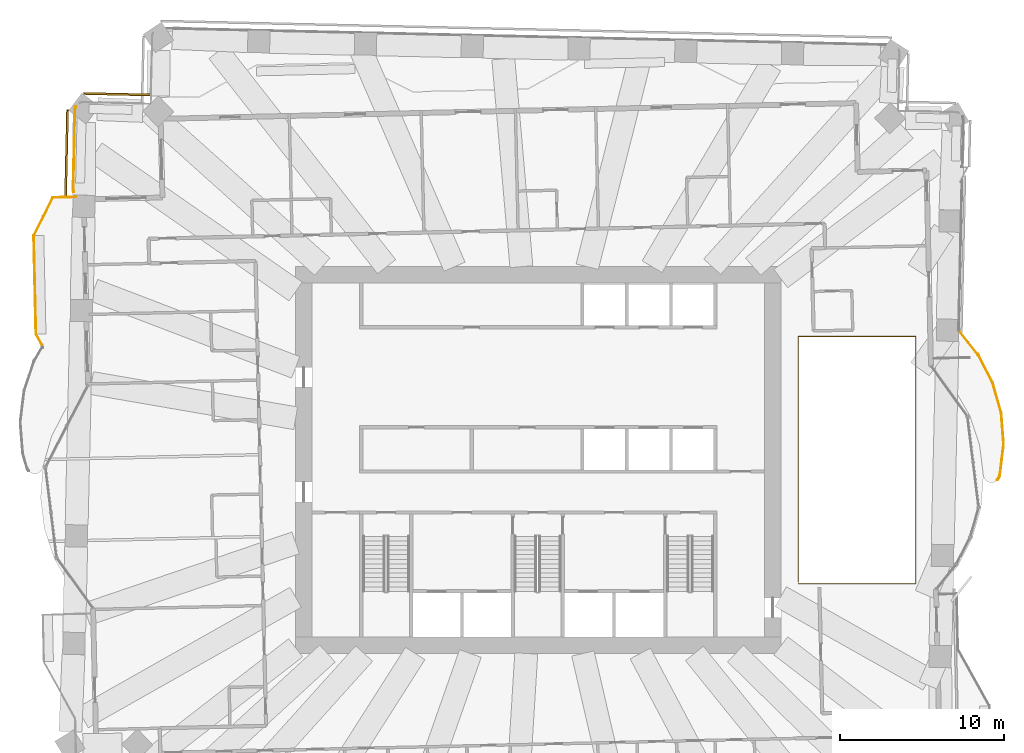
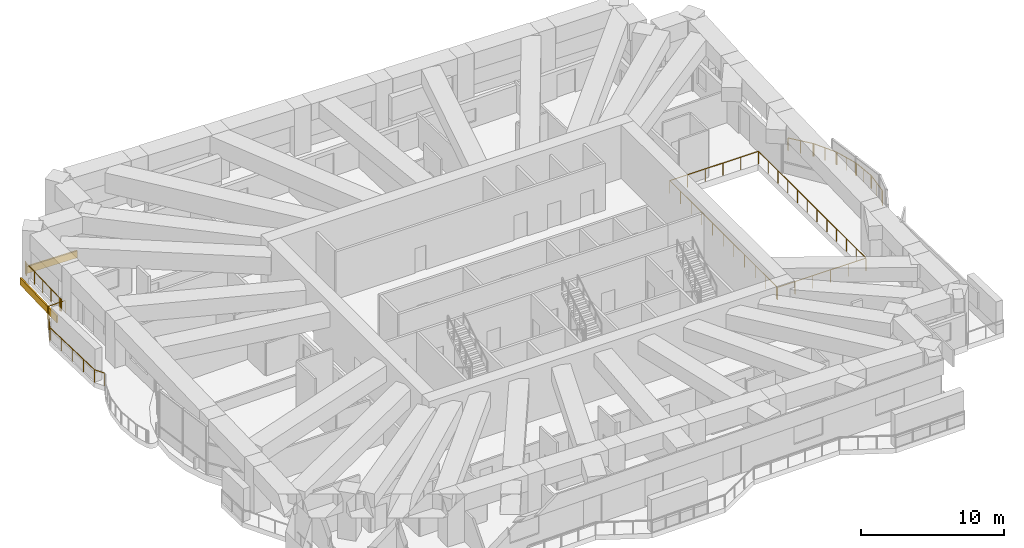
# One storey, part 19 of 21: 4 railings, 2 coverings.
"""IFC4 building model written with IfcOpenShell, lengths in metres."""

from ifc_helpers import new_model, si_unit, direction, frame, frame_2d, origin, origin_2d, place, context, subcontext, project, spatial, rectangle, extrude, material, layer, layer_set, type_object, element, save


model = new_model("IFC4")

# Units and contexts
model_context = context("Model", 3, precision=1e-05, world=origin(), true_north=direction((0.0, 1.0)))
body_context = subcontext(model_context, "Body", "Model", "MODEL_VIEW")
ifc_project = project(units=[si_unit("LENGTHUNIT", "METRE"), si_unit("AREAUNIT", "SQUARE_METRE"), si_unit("VOLUMEUNIT", "CUBIC_METRE"), si_unit("PLANEANGLEUNIT", "RADIAN"), si_unit("MASSUNIT", "GRAM", prefix="KILO")], contexts=[model_context])

# Site, building, storey
site_placement = place(None, origin())
site = spatial("IfcSite", under=ifc_project, at=site_placement, CompositionType="ELEMENT")
building_placement = place(site_placement, origin())
building = spatial("IfcBuilding", under=site, at=building_placement, Name="Mangrove Gate Tower", CompositionType="ELEMENT")
storey_placement = place(building_placement, frame((0.0, 0.0, 125.5)))
storey = spatial("IfcBuildingStorey", under=building, at=storey_placement, Name="L31", CompositionType="ELEMENT", Elevation=125.5)

# Railings
ifc_material_1 = material(Name="Stainless steel grade 316 with laminated glass infill", Category="steel")
railing_type = type_object("IfcRailingType", Name="Balcony guard 1100", PredefinedType="GUARDRAIL", material=ifc_material_1)
railing_1_placement = place(storey_placement, frame((-28.19189453125, 16.051025390625, 0.0)))
element("IfcRailing", 1, at=railing_1_placement, inside=storey, type_object=railing_type, Name="GUARD L31 W1", PredefinedType="GUARDRAIL", context=body_context, shape_type="SweptSolid", body=[
    extrude(rectangle(XDim=0.048095703125, YDim=0.048095703125, at=origin_2d()), frame((0.0, 0.0, 1.076171875), z_axis=(-0.999747212244, -0.022483585374, 0.0), x_axis=(0.022483585374, -0.999747212244, 0.0)), (0.0, 0.0, 1.0), 1.42236328125),
    extrude(rectangle(XDim=0.048095703125, YDim=0.048095703125, at=origin_2d()), frame((-1.422119140625, -0.031982421875, 1.076171875), z_axis=(-0.447363711252, -0.894352117376, 0.0), x_axis=(0.894352117376, -0.447363711252, 0.0)), (0.0, 0.0, 1.0), 2.60205078125),
    extrude(rectangle(XDim=0.048095703125, YDim=0.048095703125, at=origin_2d()), frame((-2.586181640625, -2.359130859375, 1.076171875), z_axis=(0.02282955947, -0.999739371644, 0.0), x_axis=(0.999739371644, 0.02282955947, 0.0)), (0.0, 0.0, 1.0), 5.999267578125),
    extrude(rectangle(XDim=0.048095703125, YDim=0.048095703125, at=origin_2d()), frame((-2.44921875, -8.35693359375, 1.076171875), z_axis=(0.48781444664, -0.872947344145, 0.0), x_axis=(0.872947344145, 0.48781444664, 0.0)), (0.0, 0.0, 1.0), 0.791748046875),
    extrude(rectangle(XDim=0.0419921875, YDim=0.0419921875, at=origin_2d()), origin(), (0.0, 0.0, 1.0), 1.052001953125),
    extrude(rectangle(XDim=0.0419921875, YDim=0.0419921875, at=origin_2d()), frame((-1.422119140625, -0.031982421875, 0.0)), (0.0, 0.0, 1.0), 1.052001953125),
    extrude(rectangle(XDim=0.0419921875, YDim=0.0419921875, at=origin_2d()), frame((-2.004150390625, -1.195556640625, 0.0)), (0.0, 0.0, 1.0), 1.052001953125),
    extrude(rectangle(XDim=0.0419921875, YDim=0.0419921875, at=origin_2d()), frame((-2.586181640625, -2.359130859375, 0.0)), (0.0, 0.0, 1.0), 1.052001953125),
    extrude(rectangle(XDim=0.0419921875, YDim=0.0419921875, at=origin_2d()), frame((-2.552001953125, -3.858642578125, 0.0)), (0.0, 0.0, 1.0), 1.052001953125),
    extrude(rectangle(XDim=0.0419921875, YDim=0.0419921875, at=origin_2d()), frame((-2.517578125, -5.35791015625, 0.0)), (0.0, 0.0, 1.0), 1.052001953125),
    extrude(rectangle(XDim=0.0419921875, YDim=0.0419921875, at=origin_2d()), frame((-2.4833984375, -6.857421875, 0.0)), (0.0, 0.0, 1.0), 1.052001953125),
    extrude(rectangle(XDim=0.0419921875, YDim=0.0419921875, at=origin_2d()), frame((-2.44921875, -8.35693359375, 0.0)), (0.0, 0.0, 1.0), 1.052001953125),
    extrude(rectangle(XDim=0.0419921875, YDim=0.0419921875, at=origin_2d()), frame((-2.06298828125, -9.048095703125, 0.0)), (0.0, 0.0, 1.0), 1.052001953125),
])
railing_2_placement = place(storey_placement, frame((15.860107421875, -7.5400390625, 0.0)))
element("IfcRailing", 2, at=railing_2_placement, inside=storey, type_object=railing_type, Name="GUARD L31 atrium", PredefinedType="GUARDRAIL", context=body_context, shape_type="SweptSolid", body=[
    extrude(rectangle(XDim=0.048095703125, YDim=0.048095703125, at=origin_2d()), frame((0.0, 0.0, 1.076171875), z_axis=(1.0, 0.0, 0.0), x_axis=(0.0, 1.0, 0.0)), (0.0, 0.0, 1.0), 7.1748046875),
    extrude(rectangle(XDim=0.048095703125, YDim=0.048095703125, at=origin_2d()), frame((7.1748046875, 0.0, 1.076171875), z_axis=(0.0, 1.0, 0.0), x_axis=(-1.0, 0.0, 0.0)), (0.0, 0.0, 1.0), 15.080078125),
    extrude(rectangle(XDim=0.048095703125, YDim=0.048095703125, at=origin_2d()), frame((7.1748046875, 15.080078125, 1.076171875), z_axis=(-1.0, 0.0, 0.0), x_axis=(0.0, -1.0, 0.0)), (0.0, 0.0, 1.0), 7.1748046875),
    extrude(rectangle(XDim=0.048095703125, YDim=0.048095703125, at=origin_2d()), frame((0.0, 15.080078125, 1.076171875), z_axis=(0.0, -1.0, 0.0), x_axis=(1.0, 0.0, 0.0)), (0.0, 0.0, 1.0), 14.9599609375),
    extrude(rectangle(XDim=0.0419921875, YDim=0.0419921875, at=origin_2d()), origin(), (0.0, 0.0, 1.0), 1.052001953125),
    extrude(rectangle(XDim=0.0419921875, YDim=0.0419921875, at=origin_2d()), frame((1.43505859375, 0.0, 0.0)), (0.0, 0.0, 1.0), 1.052001953125),
    extrude(rectangle(XDim=0.0419921875, YDim=0.0419921875, at=origin_2d()), frame((2.869873046875, 0.0, 0.0)), (0.0, 0.0, 1.0), 1.052001953125),
    extrude(rectangle(XDim=0.0419921875, YDim=0.0419921875, at=origin_2d()), frame((4.304931640625, 0.0, 0.0)), (0.0, 0.0, 1.0), 1.052001953125),
    extrude(rectangle(XDim=0.0419921875, YDim=0.0419921875, at=origin_2d()), frame((5.73974609375, 0.0, 0.0)), (0.0, 0.0, 1.0), 1.052001953125),
    extrude(rectangle(XDim=0.0419921875, YDim=0.0419921875, at=origin_2d()), frame((7.1748046875, 0.0, 0.0)), (0.0, 0.0, 1.0), 1.052001953125),
    extrude(rectangle(XDim=0.0419921875, YDim=0.0419921875, at=origin_2d()), frame((7.1748046875, 1.370849609375, 0.0)), (0.0, 0.0, 1.0), 1.052001953125),
    extrude(rectangle(XDim=0.0419921875, YDim=0.0419921875, at=origin_2d()), frame((7.1748046875, 2.741943359375, 0.0)), (0.0, 0.0, 1.0), 1.052001953125),
    extrude(rectangle(XDim=0.0419921875, YDim=0.0419921875, at=origin_2d()), frame((7.1748046875, 4.11279296875, 0.0)), (0.0, 0.0, 1.0), 1.052001953125),
    extrude(rectangle(XDim=0.0419921875, YDim=0.0419921875, at=origin_2d()), frame((7.1748046875, 5.483642578125, 0.0)), (0.0, 0.0, 1.0), 1.052001953125),
    extrude(rectangle(XDim=0.0419921875, YDim=0.0419921875, at=origin_2d()), frame((7.1748046875, 6.8544921875, 0.0)), (0.0, 0.0, 1.0), 1.052001953125),
    extrude(rectangle(XDim=0.0419921875, YDim=0.0419921875, at=origin_2d()), frame((7.1748046875, 8.2255859375, 0.0)), (0.0, 0.0, 1.0), 1.052001953125),
    extrude(rectangle(XDim=0.0419921875, YDim=0.0419921875, at=origin_2d()), frame((7.1748046875, 9.596435546875, 0.0)), (0.0, 0.0, 1.0), 1.052001953125),
    extrude(rectangle(XDim=0.0419921875, YDim=0.0419921875, at=origin_2d()), frame((7.1748046875, 10.96728515625, 0.0)), (0.0, 0.0, 1.0), 1.052001953125),
    extrude(rectangle(XDim=0.0419921875, YDim=0.0419921875, at=origin_2d()), frame((7.1748046875, 12.338134765625, 0.0)), (0.0, 0.0, 1.0), 1.052001953125),
    extrude(rectangle(XDim=0.0419921875, YDim=0.0419921875, at=origin_2d()), frame((7.1748046875, 13.709228515625, 0.0)), (0.0, 0.0, 1.0), 1.052001953125),
    extrude(rectangle(XDim=0.0419921875, YDim=0.0419921875, at=origin_2d()), frame((7.1748046875, 15.080078125, 0.0)), (0.0, 0.0, 1.0), 1.052001953125),
    extrude(rectangle(XDim=0.0419921875, YDim=0.0419921875, at=origin_2d()), frame((5.73974609375, 15.080078125, 0.0)), (0.0, 0.0, 1.0), 1.052001953125),
    extrude(rectangle(XDim=0.0419921875, YDim=0.0419921875, at=origin_2d()), frame((4.304931640625, 15.080078125, 0.0)), (0.0, 0.0, 1.0), 1.052001953125),
    extrude(rectangle(XDim=0.0419921875, YDim=0.0419921875, at=origin_2d()), frame((2.869873046875, 15.080078125, 0.0)), (0.0, 0.0, 1.0), 1.052001953125),
    extrude(rectangle(XDim=0.0419921875, YDim=0.0419921875, at=origin_2d()), frame((1.43505859375, 15.080078125, 0.0)), (0.0, 0.0, 1.0), 1.052001953125),
    extrude(rectangle(XDim=0.0419921875, YDim=0.0419921875, at=origin_2d()), frame((0.0, 15.080078125, 0.0)), (0.0, 0.0, 1.0), 1.052001953125),
    extrude(rectangle(XDim=0.0419921875, YDim=0.0419921875, at=origin_2d()), frame((0.0, 13.583984375, 0.0)), (0.0, 0.0, 1.0), 1.052001953125),
    extrude(rectangle(XDim=0.0419921875, YDim=0.0419921875, at=origin_2d()), frame((0.0, 12.088134765625, 0.0)), (0.0, 0.0, 1.0), 1.052001953125),
    extrude(rectangle(XDim=0.0419921875, YDim=0.0419921875, at=origin_2d()), frame((0.0, 10.592041015625, 0.0)), (0.0, 0.0, 1.0), 1.052001953125),
    extrude(rectangle(XDim=0.0419921875, YDim=0.0419921875, at=origin_2d()), frame((0.0, 9.09619140625, 0.0)), (0.0, 0.0, 1.0), 1.052001953125),
    extrude(rectangle(XDim=0.0419921875, YDim=0.0419921875, at=origin_2d()), frame((0.0, 7.60009765625, 0.0)), (0.0, 0.0, 1.0), 1.052001953125),
    extrude(rectangle(XDim=0.0419921875, YDim=0.0419921875, at=origin_2d()), frame((0.0, 6.10400390625, 0.0)), (0.0, 0.0, 1.0), 1.052001953125),
    extrude(rectangle(XDim=0.0419921875, YDim=0.0419921875, at=origin_2d()), frame((0.0, 4.608154296875, 0.0)), (0.0, 0.0, 1.0), 1.052001953125),
    extrude(rectangle(XDim=0.0419921875, YDim=0.0419921875, at=origin_2d()), frame((0.0, 3.112060546875, 0.0)), (0.0, 0.0, 1.0), 1.052001953125),
    extrude(rectangle(XDim=0.0419921875, YDim=0.0419921875, at=origin_2d()), frame((0.0, 1.6162109375, 0.0)), (0.0, 0.0, 1.0), 1.052001953125),
    extrude(rectangle(XDim=0.0419921875, YDim=0.0419921875, at=origin_2d()), frame((0.0, 0.1201171875, 0.0)), (0.0, 0.0, 1.0), 1.052001953125),
])
railing_3_placement = place(storey_placement, frame((-28.326904296875, 16.35205078125, 0.0)))
element("IfcRailing", 3, at=railing_3_placement, inside=storey, type_object=railing_type, Name="GUARD L31 T1.1", PredefinedType="GUARDRAIL", context=body_context, shape_type="SweptSolid", body=[
    extrude(rectangle(XDim=0.048095703125, YDim=0.048095703125, at=origin_2d()), frame((0.0, 0.0, 1.076171875), z_axis=(-0.430340964607, 0.902666413566, 0.0), x_axis=(-0.902666413566, -0.430340964607, 0.0)), (0.0, 0.0, 1.0), 0.023193359375),
    extrude(rectangle(XDim=0.048095703125, YDim=0.048095703125, at=origin_2d()), frame((-0.010009765625, 0.02099609375, 1.076171875), z_axis=(-0.325079768511, 0.945686599305, 0.0), x_axis=(-0.945686599305, -0.325079768511, 0.0)), (0.0, 0.0, 1.0), 0.049560546875),
    extrude(rectangle(XDim=0.048095703125, YDim=0.048095703125, at=origin_2d()), frame((-0.026123046875, 0.06787109375, 1.076171875), z_axis=(-0.236844906121, 0.971547472049, 0.0), x_axis=(-0.971547472049, -0.236844906121, 0.0)), (0.0, 0.0, 1.0), 0.050537109375),
    extrude(rectangle(XDim=0.048095703125, YDim=0.048095703125, at=origin_2d()), frame((-0.0380859375, 0.116943359375, 1.076171875), z_axis=(-0.118770541657, 0.992921728252, 0.0), x_axis=(-0.992921728252, -0.118770541657, 0.0)), (0.0, 0.0, 1.0), 0.05126953125),
    extrude(rectangle(XDim=0.048095703125, YDim=0.048095703125, at=origin_2d()), frame((-0.044189453125, 0.16796875, 1.076171875), z_axis=(-0.019508481785, 0.999809691461, 0.0), x_axis=(-0.999809691461, -0.019508481785, 0.0)), (0.0, 0.0, 1.0), 0.050048828125),
    extrude(rectangle(XDim=0.048095703125, YDim=0.048095703125, at=origin_2d()), frame((-0.045166015625, 0.218017578125, 1.076171875), z_axis=(0.022573247704, 0.99974519178, 0.0), x_axis=(-0.99974519178, 0.022573247704, 0.0)), (0.0, 0.0, 1.0), 4.791259765625),
    extrude(rectangle(XDim=0.048095703125, YDim=0.048095703125, at=origin_2d()), frame((0.06298828125, 5.008056640625, 1.076171875), z_axis=(0.079745222283, 0.996815278536, 0.0), x_axis=(-0.996815278536, 0.079745222283, 0.0)), (0.0, 0.0, 1.0), 0.049072265625),
    extrude(rectangle(XDim=0.048095703125, YDim=0.048095703125, at=origin_2d()), frame((0.06689453125, 5.056884765625, 1.076171875), z_axis=(0.165210778199, 0.986258281976, 0.0), x_axis=(-0.986258281976, 0.165210778199, 0.0)), (0.0, 0.0, 1.0), 0.048828125),
    extrude(rectangle(XDim=0.048095703125, YDim=0.048095703125, at=origin_2d()), frame((0.074951171875, 5.10498046875, 1.076171875), z_axis=(0.261033073796, 0.965329857813, 0.0), x_axis=(-0.965329857813, 0.261033073796, 0.0)), (0.0, 0.0, 1.0), 0.049560546875),
    extrude(rectangle(XDim=0.048095703125, YDim=0.048095703125, at=origin_2d()), frame((0.087890625, 5.15283203125, 1.076171875), z_axis=(0.371390676354, 0.928476690885, 0.0), x_axis=(-0.928476690885, 0.371390676354, 0.0)), (0.0, 0.0, 1.0), 0.048583984375),
    extrude(rectangle(XDim=0.048095703125, YDim=0.048095703125, at=origin_2d()), frame((0.10595703125, 5.197998046875, 1.076171875), z_axis=(0.43301833784, 0.901385111422, 0.0), x_axis=(-0.901385111422, 0.43301833784, 0.0)), (0.0, 0.0, 1.0), 0.027587890625),
    extrude(rectangle(XDim=0.0419921875, YDim=0.0419921875, at=origin_2d()), origin(), (0.0, 0.0, 1.0), 1.052001953125),
    extrude(rectangle(XDim=0.0419921875, YDim=0.0419921875, at=origin_2d()), frame((-0.010009765625, 0.02099609375, 0.0)), (0.0, 0.0, 1.0), 1.052001953125),
    extrude(rectangle(XDim=0.0419921875, YDim=0.0419921875, at=origin_2d()), frame((-0.026123046875, 0.06787109375, 0.0)), (0.0, 0.0, 1.0), 1.052001953125),
    extrude(rectangle(XDim=0.0419921875, YDim=0.0419921875, at=origin_2d()), frame((-0.0380859375, 0.116943359375, 0.0)), (0.0, 0.0, 1.0), 1.052001953125),
    extrude(rectangle(XDim=0.0419921875, YDim=0.0419921875, at=origin_2d()), frame((-0.044189453125, 0.16796875, 0.0)), (0.0, 0.0, 1.0), 1.052001953125),
    extrude(rectangle(XDim=0.0419921875, YDim=0.0419921875, at=origin_2d()), frame((-0.045166015625, 0.218017578125, 0.0)), (0.0, 0.0, 1.0), 1.052001953125),
    extrude(rectangle(XDim=0.0419921875, YDim=0.0419921875, at=origin_2d()), frame((-0.01806640625, 1.41552734375, 0.0)), (0.0, 0.0, 1.0), 1.052001953125),
    extrude(rectangle(XDim=0.0419921875, YDim=0.0419921875, at=origin_2d()), frame((0.0087890625, 2.613037109375, 0.0)), (0.0, 0.0, 1.0), 1.052001953125),
    extrude(rectangle(XDim=0.0419921875, YDim=0.0419921875, at=origin_2d()), frame((0.035888671875, 3.810546875, 0.0)), (0.0, 0.0, 1.0), 1.052001953125),
    extrude(rectangle(XDim=0.0419921875, YDim=0.0419921875, at=origin_2d()), frame((0.06298828125, 5.008056640625, 0.0)), (0.0, 0.0, 1.0), 1.052001953125),
    extrude(rectangle(XDim=0.0419921875, YDim=0.0419921875, at=origin_2d()), frame((0.06689453125, 5.056884765625, 0.0)), (0.0, 0.0, 1.0), 1.052001953125),
    extrude(rectangle(XDim=0.0419921875, YDim=0.0419921875, at=origin_2d()), frame((0.074951171875, 5.10498046875, 0.0)), (0.0, 0.0, 1.0), 1.052001953125),
    extrude(rectangle(XDim=0.0419921875, YDim=0.0419921875, at=origin_2d()), frame((0.087890625, 5.15283203125, 0.0)), (0.0, 0.0, 1.0), 1.052001953125),
    extrude(rectangle(XDim=0.0419921875, YDim=0.0419921875, at=origin_2d()), frame((0.10595703125, 5.197998046875, 0.0)), (0.0, 0.0, 1.0), 1.052001953125),
    extrude(rectangle(XDim=0.0419921875, YDim=0.0419921875, at=origin_2d()), frame((0.117919921875, 5.222900390625, 0.0)), (0.0, 0.0, 1.0), 1.052001953125),
])
railing_4_placement = place(storey_placement, frame((25.653076171875, 7.9208984375, 0.0)))
element("IfcRailing", 4, at=railing_4_placement, inside=storey, type_object=railing_type, Name="GUARD L31 T2.1", PredefinedType="GUARDRAIL", context=body_context, shape_type="SweptSolid", body=[
    extrude(rectangle(XDim=0.048095703125, YDim=0.048095703125, at=origin_2d()), frame((0.0, 0.0, 1.076171875), z_axis=(0.081362009455, -0.996684615823, 0.0), x_axis=(0.996684615823, 0.081362009455, 0.0)), (0.0, 0.0, 1.0), 0.011962890625),
    extrude(rectangle(XDim=0.048095703125, YDim=0.048095703125, at=origin_2d()), frame((0.0009765625, -0.011962890625, 1.076171875), z_axis=(0.563961646158, -0.825800981874, 0.0), x_axis=(0.825800981874, 0.563961646158, 0.0)), (0.0, 0.0, 1.0), 0.01220703125),
    extrude(rectangle(XDim=0.048095703125, YDim=0.048095703125, at=origin_2d()), frame((0.0078125, -0.02197265625, 1.076171875), z_axis=(0.625402769645, -0.780302105418, 0.0), x_axis=(0.780302105418, 0.625402769645, 0.0)), (0.0, 0.0, 1.0), 1.850341796875),
    extrude(rectangle(XDim=0.048095703125, YDim=0.048095703125, at=origin_2d()), frame((1.1650390625, -1.4658203125, 1.076171875), z_axis=(0.584043919875, -0.811722058131, 0.0), x_axis=(0.811722058131, 0.584043919875, 0.0)), (0.0, 0.0, 1.0), 0.04931640625),
    extrude(rectangle(XDim=0.048095703125, YDim=0.048095703125, at=origin_2d()), frame((1.19384765625, -1.505859375, 1.076171875), z_axis=(0.505090118111, -0.863066609588, 0.0), x_axis=(0.863066609588, 0.505090118111, 0.0)), (0.0, 0.0, 1.0), 0.0498046875),
    extrude(rectangle(XDim=0.048095703125, YDim=0.048095703125, at=origin_2d()), frame((1.218994140625, -1.548828125, 1.076171875), z_axis=(0.458862405504, -0.888507339765, 0.0), x_axis=(0.888507339765, 0.458862405504, 0.0)), (0.0, 0.0, 1.0), 1.813232421875),
    extrude(rectangle(XDim=0.048095703125, YDim=0.048095703125, at=origin_2d()), frame((2.051025390625, -3.159912109375, 1.076171875), z_axis=(0.399795516812, -0.916604355618, 0.0), x_axis=(0.916604355618, 0.399795516812, 0.0)), (0.0, 0.0, 1.0), 0.050048828125),
    extrude(rectangle(XDim=0.048095703125, YDim=0.048095703125, at=origin_2d()), frame((2.071044921875, -3.205810546875, 1.076171875), z_axis=(0.319172448283, -0.947696654134, 0.0), x_axis=(0.947696654134, 0.319172448283, 0.0)), (0.0, 0.0, 1.0), 0.0498046875),
    extrude(rectangle(XDim=0.048095703125, YDim=0.048095703125, at=origin_2d()), frame((2.0869140625, -3.2529296875, 1.076171875), z_axis=(0.273261504961, -0.961939784969, 0.0), x_axis=(0.961939784969, 0.273261504961, 0.0)), (0.0, 0.0, 1.0), 1.811767578125),
    extrude(rectangle(XDim=0.048095703125, YDim=0.048095703125, at=origin_2d()), frame((2.58203125, -4.995849609375, 1.076171875), z_axis=(0.218472344851, -0.975843140333, 0.0), x_axis=(0.975843140333, 0.218472344851, 0.0)), (0.0, 0.0, 1.0), 0.05029296875),
    extrude(rectangle(XDim=0.048095703125, YDim=0.048095703125, at=origin_2d()), frame((2.593017578125, -5.044921875, 1.076171875), z_axis=(0.13532888071, -0.990800733773, 0.0), x_axis=(0.990800733773, 0.13532888071, 0.0)), (0.0, 0.0, 1.0), 0.050537109375),
    extrude(rectangle(XDim=0.048095703125, YDim=0.048095703125, at=origin_2d()), frame((2.599853515625, -5.094970703125, 1.076171875), z_axis=(0.076789216183, -0.997047349065, 0.0), x_axis=(0.997047349065, 0.076789216183, 0.0)), (0.0, 0.0, 1.0), 1.812255859375),
    extrude(rectangle(XDim=0.048095703125, YDim=0.048095703125, at=origin_2d()), frame((2.739013671875, -6.90185546875, 1.076171875), z_axis=(0.03899470896, -0.999239417093, 0.0), x_axis=(0.999239417093, 0.03899470896, 0.0)), (0.0, 0.0, 1.0), 0.050048828125),
    extrude(rectangle(XDim=0.048095703125, YDim=0.048095703125, at=origin_2d()), frame((2.740966796875, -6.951904296875, 1.076171875), z_axis=(-0.084276225487, -0.996442430759, 0.0), x_axis=(0.996442430759, -0.084276225487, 0.0)), (0.0, 0.0, 1.0), 0.04931640625),
    extrude(rectangle(XDim=0.048095703125, YDim=0.048095703125, at=origin_2d()), frame((2.73681640625, -7.0009765625, 1.076171875), z_axis=(-0.121912255429, -0.992540881766, 0.0), x_axis=(0.992540881766, -0.121912255429, 0.0)), (0.0, 0.0, 1.0), 1.812255859375),
    extrude(rectangle(XDim=0.048095703125, YDim=0.048095703125, at=origin_2d()), frame((2.515869140625, -8.7998046875, 1.076171875), z_axis=(-0.177617961636, -0.984099517175, 0.0), x_axis=(0.984099517175, -0.177617961636, 0.0)), (0.0, 0.0, 1.0), 0.05078125),
    extrude(rectangle(XDim=0.048095703125, YDim=0.048095703125, at=origin_2d()), frame((2.5068359375, -8.849853515625, 1.076171875), z_axis=(-0.259797678908, -0.965663070659, 0.0), x_axis=(0.965663070659, -0.259797678908, 0.0)), (0.0, 0.0, 1.0), 0.0498046875),
    extrude(rectangle(XDim=0.048095703125, YDim=0.048095703125, at=origin_2d()), frame((2.493896484375, -8.89794921875, 1.076171875), z_axis=(-0.317448459736, -0.94827552716, 0.0), x_axis=(0.94827552716, -0.317448459736, 0.0)), (0.0, 0.0, 1.0), 0.06005859375),
    extrude(rectangle(XDim=0.048095703125, YDim=0.048095703125, at=origin_2d()), frame((2.474853515625, -8.954833984375, 1.076171875), z_axis=(-0.360301673574, -0.932835839802, 0.0), x_axis=(0.932835839802, -0.360301673574, 0.0)), (0.0, 0.0, 1.0), 0.049560546875),
    extrude(rectangle(XDim=0.048095703125, YDim=0.048095703125, at=origin_2d()), frame((2.45703125, -9.0009765625, 1.076171875), z_axis=(-0.458765924879, -0.888557159765, 0.0), x_axis=(0.888557159765, -0.458765924879, 0.0)), (0.0, 0.0, 1.0), 0.050537109375),
    extrude(rectangle(XDim=0.048095703125, YDim=0.048095703125, at=origin_2d()), frame((2.433837890625, -9.0458984375, 1.076171875), z_axis=(-0.538775689721, -0.842449260291, 0.0), x_axis=(0.842449260291, -0.538775689721, 0.0)), (0.0, 0.0, 1.0), 0.0498046875),
    extrude(rectangle(XDim=0.048095703125, YDim=0.048095703125, at=origin_2d()), frame((2.406982421875, -9.087890625, 1.076171875), z_axis=(-0.621705532722, -0.783251064846, 0.0), x_axis=(0.783251064846, -0.621705532722, 0.0)), (0.0, 0.0, 1.0), 0.0498046875),
    extrude(rectangle(XDim=0.048095703125, YDim=0.048095703125, at=origin_2d()), frame((2.3759765625, -9.126953125, 1.076171875), z_axis=(-0.712175450482, -0.702001515476, 0.0), x_axis=(0.702001515476, -0.712175450482, 0.0)), (0.0, 0.0, 1.0), 0.02392578125),
    extrude(rectangle(XDim=0.0419921875, YDim=0.0419921875, at=origin_2d()), origin(), (0.0, 0.0, 1.0), 1.052001953125),
    extrude(rectangle(XDim=0.0419921875, YDim=0.0419921875, at=origin_2d()), frame((0.0009765625, -0.011962890625, 0.0)), (0.0, 0.0, 1.0), 1.052001953125),
    extrude(rectangle(XDim=0.0419921875, YDim=0.0419921875, at=origin_2d()), frame((0.0078125, -0.02197265625, 0.0)), (0.0, 0.0, 1.0), 1.052001953125),
    extrude(rectangle(XDim=0.0419921875, YDim=0.0419921875, at=origin_2d()), frame((0.58642578125, -0.743896484375, 0.0)), (0.0, 0.0, 1.0), 1.052001953125),
    extrude(rectangle(XDim=0.0419921875, YDim=0.0419921875, at=origin_2d()), frame((1.1650390625, -1.4658203125, 0.0)), (0.0, 0.0, 1.0), 1.052001953125),
    extrude(rectangle(XDim=0.0419921875, YDim=0.0419921875, at=origin_2d()), frame((1.19384765625, -1.505859375, 0.0)), (0.0, 0.0, 1.0), 1.052001953125),
    extrude(rectangle(XDim=0.0419921875, YDim=0.0419921875, at=origin_2d()), frame((1.218994140625, -1.548828125, 0.0)), (0.0, 0.0, 1.0), 1.052001953125),
    extrude(rectangle(XDim=0.0419921875, YDim=0.0419921875, at=origin_2d()), frame((1.635009765625, -2.3544921875, 0.0)), (0.0, 0.0, 1.0), 1.052001953125),
    extrude(rectangle(XDim=0.0419921875, YDim=0.0419921875, at=origin_2d()), frame((2.051025390625, -3.159912109375, 0.0)), (0.0, 0.0, 1.0), 1.052001953125),
    extrude(rectangle(XDim=0.0419921875, YDim=0.0419921875, at=origin_2d()), frame((2.071044921875, -3.205810546875, 0.0)), (0.0, 0.0, 1.0), 1.052001953125),
    extrude(rectangle(XDim=0.0419921875, YDim=0.0419921875, at=origin_2d()), frame((2.0869140625, -3.2529296875, 0.0)), (0.0, 0.0, 1.0), 1.052001953125),
    extrude(rectangle(XDim=0.0419921875, YDim=0.0419921875, at=origin_2d()), frame((2.33447265625, -4.12451171875, 0.0)), (0.0, 0.0, 1.0), 1.052001953125),
    extrude(rectangle(XDim=0.0419921875, YDim=0.0419921875, at=origin_2d()), frame((2.58203125, -4.995849609375, 0.0)), (0.0, 0.0, 1.0), 1.052001953125),
    extrude(rectangle(XDim=0.0419921875, YDim=0.0419921875, at=origin_2d()), frame((2.593017578125, -5.044921875, 0.0)), (0.0, 0.0, 1.0), 1.052001953125),
    extrude(rectangle(XDim=0.0419921875, YDim=0.0419921875, at=origin_2d()), frame((2.599853515625, -5.094970703125, 0.0)), (0.0, 0.0, 1.0), 1.052001953125),
    extrude(rectangle(XDim=0.0419921875, YDim=0.0419921875, at=origin_2d()), frame((2.66943359375, -5.99853515625, 0.0)), (0.0, 0.0, 1.0), 1.052001953125),
    extrude(rectangle(XDim=0.0419921875, YDim=0.0419921875, at=origin_2d()), frame((2.739013671875, -6.90185546875, 0.0)), (0.0, 0.0, 1.0), 1.052001953125),
    extrude(rectangle(XDim=0.0419921875, YDim=0.0419921875, at=origin_2d()), frame((2.740966796875, -6.951904296875, 0.0)), (0.0, 0.0, 1.0), 1.052001953125),
    extrude(rectangle(XDim=0.0419921875, YDim=0.0419921875, at=origin_2d()), frame((2.73681640625, -7.0009765625, 0.0)), (0.0, 0.0, 1.0), 1.052001953125),
    extrude(rectangle(XDim=0.0419921875, YDim=0.0419921875, at=origin_2d()), frame((2.62646484375, -7.900390625, 0.0)), (0.0, 0.0, 1.0), 1.052001953125),
    extrude(rectangle(XDim=0.0419921875, YDim=0.0419921875, at=origin_2d()), frame((2.515869140625, -8.7998046875, 0.0)), (0.0, 0.0, 1.0), 1.052001953125),
    extrude(rectangle(XDim=0.0419921875, YDim=0.0419921875, at=origin_2d()), frame((2.5068359375, -8.849853515625, 0.0)), (0.0, 0.0, 1.0), 1.052001953125),
    extrude(rectangle(XDim=0.0419921875, YDim=0.0419921875, at=origin_2d()), frame((2.493896484375, -8.89794921875, 0.0)), (0.0, 0.0, 1.0), 1.052001953125),
    extrude(rectangle(XDim=0.0419921875, YDim=0.0419921875, at=origin_2d()), frame((2.474853515625, -8.954833984375, 0.0)), (0.0, 0.0, 1.0), 1.052001953125),
    extrude(rectangle(XDim=0.0419921875, YDim=0.0419921875, at=origin_2d()), frame((2.45703125, -9.0009765625, 0.0)), (0.0, 0.0, 1.0), 1.052001953125),
    extrude(rectangle(XDim=0.0419921875, YDim=0.0419921875, at=origin_2d()), frame((2.433837890625, -9.0458984375, 0.0)), (0.0, 0.0, 1.0), 1.052001953125),
    extrude(rectangle(XDim=0.0419921875, YDim=0.0419921875, at=origin_2d()), frame((2.406982421875, -9.087890625, 0.0)), (0.0, 0.0, 1.0), 1.052001953125),
    extrude(rectangle(XDim=0.0419921875, YDim=0.0419921875, at=origin_2d()), frame((2.3759765625, -9.126953125, 0.0)), (0.0, 0.0, 1.0), 1.052001953125),
    extrude(rectangle(XDim=0.0419921875, YDim=0.0419921875, at=origin_2d()), frame((2.35888671875, -9.143798828125, 0.0)), (0.0, 0.0, 1.0), 1.052001953125),
])

# Coverings
ifc_material_2 = material(Name="Limestone", Category="masonry")
ifc_layer_1 = layer(ifc_material_2, 0.0400390625, Name="Limestone cladding")
ifc_material_3 = material(Name="Stainless steel anchors and cavity", Category="steel")
ifc_layer_2 = layer(ifc_material_3, 0.080078125, Name="Fixing cavity")
ifc_layer_set = layer_set([ifc_layer_1, ifc_layer_2], Name="Joint fascia cladding 120")
covering_type = type_object("IfcCoveringType", Name="Joint fascia cladding 120", PredefinedType="CLADDING", material=ifc_layer_set)
covering_1_placement = place(storey_placement, frame((-28.83935546875, 16.0390625, -0.60009765625), z_axis=(0.0, 0.0, 1.0), x_axis=(0.02275468566, 0.99974107862, 0.0)))
element("IfcCovering", 5, at=covering_1_placement, inside=storey, type_object=covering_type, Name="STONE FASCIA L31 TB31-1.1", PredefinedType="CLADDING", context=body_context, shape_type="SweptSolid", body=[
    extrude(rectangle(XDim=5.33251953125, YDim=0.1201171875, at=frame_2d((2.666259765625, 0.0))), origin(), (0.0, 0.0, 1.0), 0.60009765625),
])
covering_2_placement = place(storey_placement, frame((-27.740966796875, 22.367919921875, -0.60009765625), z_axis=(0.0, 0.0, 1.0), x_axis=(0.999746699851, -0.022506357724, 0.0)))
element("IfcCovering", 6, at=covering_2_placement, inside=storey, type_object=covering_type, Name="STONE FASCIA L31 TB31-2.1", PredefinedType="CLADDING", context=body_context, shape_type="SweptSolid", body=[
    extrude(rectangle(XDim=4.100341796875, YDim=0.1201171875, at=frame_2d((2.05029296875, 0.0))), origin(), (0.0, 0.0, 1.0), 0.60009765625),
])

save(model, "model.ifc")
